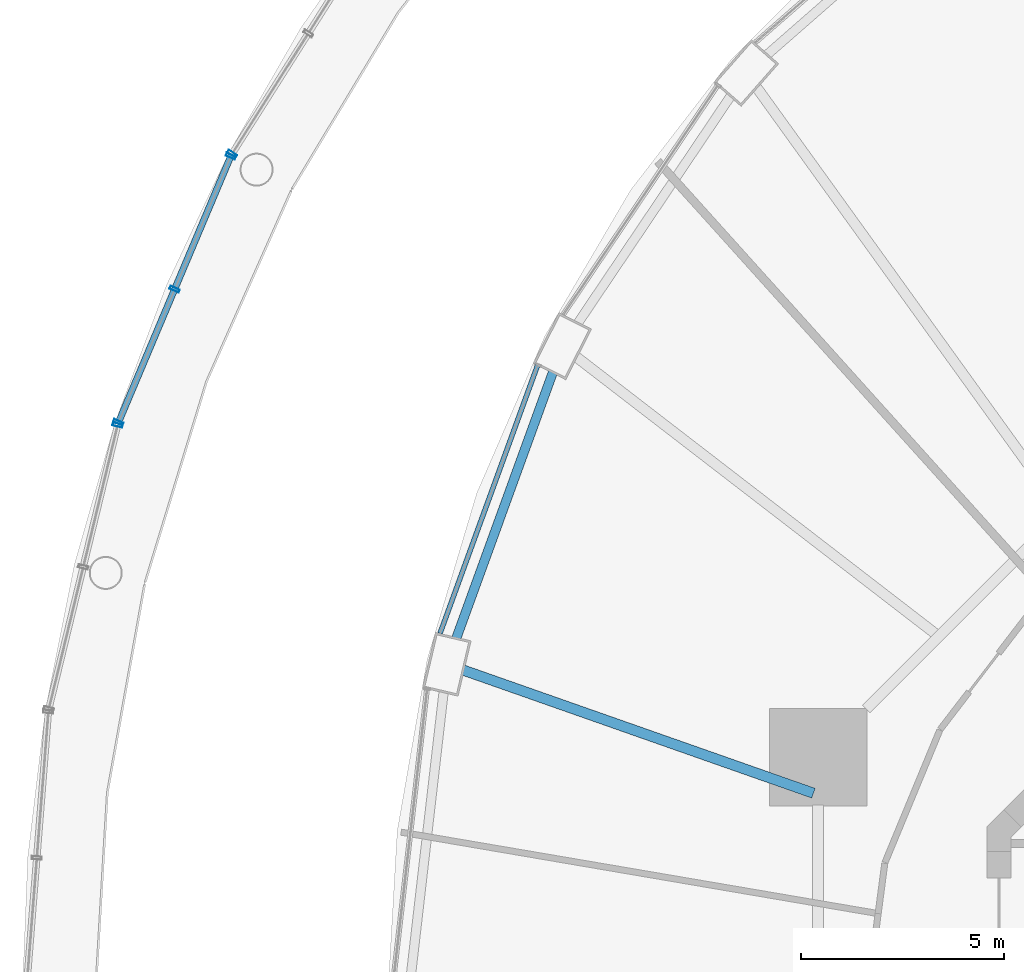
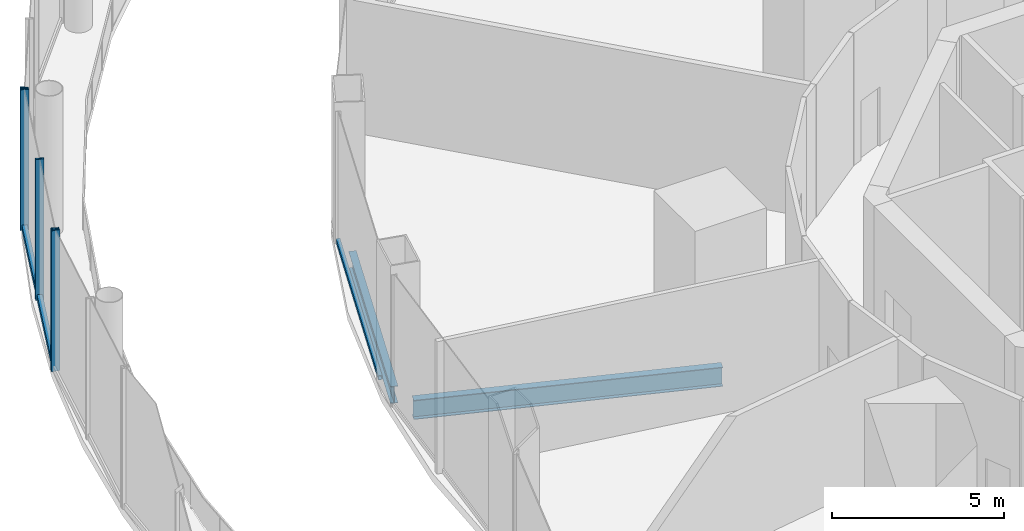
# One storey, part 20 of 48: 7 members, 2 beams, 4 elements without a shape of their own.
"""IFC4 building model written with IfcOpenShell, lengths in metres."""

from ifc_helpers import new_model, si_unit, direction, frame, origin, origin_2d, place, context, subcontext, project, spatial, hollow_rectangle, i_section, extrude, material, layer, layer_set, material_profile, profile_set, type_object, element, aggregate, save


model = new_model("IFC4")

# Units and contexts
model_context = context("Model", 3, precision=1e-05, world=origin(), true_north=direction((0.0, 1.0)))
body_context = subcontext(model_context, "Body", "Model", "MODEL_VIEW")
ifc_project = project(units=[si_unit("LENGTHUNIT", "METRE"), si_unit("AREAUNIT", "SQUARE_METRE"), si_unit("VOLUMEUNIT", "CUBIC_METRE"), si_unit("PLANEANGLEUNIT", "RADIAN"), si_unit("MASSUNIT", "GRAM", prefix="KILO")], contexts=[model_context])

# Site, building, storey
site_placement = place(None, origin())
site = spatial("IfcSite", under=ifc_project, at=site_placement, CompositionType="ELEMENT")
building_placement = place(site_placement, origin())
building = spatial("IfcBuilding", under=site, at=building_placement, Name="Nagisa Residences", CompositionType="ELEMENT")
storey_placement = place(building_placement, frame((0.0, 0.0, 12.0)))
storey = spatial("IfcBuildingStorey", under=building, at=storey_placement, Name="L02", CompositionType="ELEMENT", Elevation=12.0)

# Curtain wall, member
ifc_material_1 = material(Name="Stainless steel curtain wall system", Category="steel")
ifc_layer_1 = layer(ifc_material_1, 0.159912109375)
ifc_layer_set_1 = layer_set([ifc_layer_1], Name="CW3 CURTAIN WALL")
curtain_wall_type_1 = type_object("IfcCurtainWallType", Name="CW3 CURTAIN WALL", PredefinedType="NOTDEFINED", material=ifc_layer_set_1)
curtain_wall_1_placement = place(storey_placement, origin())
curtain_wall_1 = element("IfcCurtainWall", 1, at=curtain_wall_1_placement, inside=storey, type_object=curtain_wall_type_1, Name="cw:CW3:L02:14", PredefinedType="NOTDEFINED")
ifc_material_2 = material(Name="Stainless steel", Category="steel")
ifc_material_profile_1 = material_profile(ifc_material_2, hollow_rectangle(XDim=0.25, YDim=0.080078125, WallThickness=0.008056640625, at=origin_2d()), Name="CW3 MULLION 250x80")
ifc_profile_set_1 = profile_set([ifc_material_profile_1], Name="Stainless steel")
member_type_1 = type_object("IfcMemberType", Name="CW3 MULLION 250x80", PredefinedType="MULLION", material=ifc_profile_set_1)
member_1_placement = place(storey_placement, frame((-29.219970703125, 20.990966796875, 0.0), z_axis=(0.0, 0.0, 1.0), x_axis=(0.844747368001, -0.535165286856, 0.0)))
member_1 = element("IfcMember", 2, at=member_1_placement, type_object=member_type_1, Name="CW3 mullion", PredefinedType="MULLION", context=body_context, shape_type="SweptSolid", body=[
    extrude(hollow_rectangle(XDim=0.25, YDim=0.080078125, WallThickness=0.008056640625, at=origin_2d()), origin(), (0.0, 0.0, 1.0), 5.0),
])
aggregate(curtain_wall_1, [member_1])

# Curtain wall, members
curtain_wall_2_placement = place(storey_placement, origin())
curtain_wall_2 = element("IfcCurtainWall", 3, at=curtain_wall_2_placement, inside=storey, type_object=curtain_wall_type_1, Name="cw:CW3:L02:15", PredefinedType="NOTDEFINED")
member_2_placement = place(storey_placement, frame((-29.250732421875, 20.93212890625, 0.0), z_axis=(0.0, 0.0, 1.0), x_axis=(0.921356767819, -0.388718029417, 0.0)))
member_2 = element("IfcMember", 4, at=member_2_placement, type_object=member_type_1, Name="CW3 mullion", PredefinedType="MULLION", context=body_context, shape_type="SweptSolid", body=[
    extrude(hollow_rectangle(XDim=0.25, YDim=0.080078125, WallThickness=0.008056640625, at=origin_2d()), origin(), (0.0, 0.0, 1.0), 5.0),
])
member_3_placement = place(storey_placement, frame((-30.635009765625, 17.6513671875, 0.0), z_axis=(0.0, 0.0, 1.0), x_axis=(0.921356767819, -0.388718029417, 0.0)))
member_3 = element("IfcMember", 5, at=member_3_placement, type_object=member_type_1, Name="CW3 mullion", PredefinedType="MULLION", context=body_context, shape_type="SweptSolid", body=[
    extrude(hollow_rectangle(XDim=0.25, YDim=0.080078125, WallThickness=0.008056640625, at=origin_2d()), origin(), (0.0, 0.0, 1.0), 5.0),
])
member_4_placement = place(storey_placement, frame((-32.01904296875, 14.37060546875, 0.0), z_axis=(0.0, 0.0, 1.0), x_axis=(0.921356767819, -0.388718029417, 0.0)))
member_4 = element("IfcMember", 6, at=member_4_placement, type_object=member_type_1, Name="CW3 mullion", PredefinedType="MULLION", context=body_context, shape_type="SweptSolid", body=[
    extrude(hollow_rectangle(XDim=0.25, YDim=0.080078125, WallThickness=0.008056640625, at=origin_2d()), origin(), (0.0, 0.0, 1.0), 5.0),
])

# Curtain wall, member
curtain_wall_3_placement = place(storey_placement, origin())
curtain_wall_3 = element("IfcCurtainWall", 7, at=curtain_wall_3_placement, inside=storey, type_object=curtain_wall_type_1, Name="cw:CW3:L02:16", PredefinedType="NOTDEFINED")
member_5_placement = place(storey_placement, frame((-32.0400390625, 14.30712890625, 0.0), z_axis=(0.0, 0.0, 1.0), x_axis=(0.971848775146, -0.235605514043, 0.0)))
member_5 = element("IfcMember", 8, at=member_5_placement, type_object=member_type_1, Name="CW3 mullion", PredefinedType="MULLION", context=body_context, shape_type="SweptSolid", body=[
    extrude(hollow_rectangle(XDim=0.25, YDim=0.080078125, WallThickness=0.008056640625, at=origin_2d()), origin(), (0.0, 0.0, 1.0), 5.0),
])
aggregate(curtain_wall_3, [member_5])

# Member
ifc_material_3 = material(Name="Stainless steel", Category="steel")
ifc_material_profile_2 = material_profile(ifc_material_3, hollow_rectangle(XDim=0.159912109375, YDim=0.199951171875, WallThickness=0.008056640625, at=origin_2d()), Name="CW3 TRANSOM 160x200")
ifc_profile_set_2 = profile_set([ifc_material_profile_2], Name="Stainless steel")
member_type_2 = type_object("IfcMemberType", Name="CW3 TRANSOM 160x200", PredefinedType="USERDEFINED", material=ifc_profile_set_2)
member_6_placement = place(storey_placement, frame((-29.2353515625, 20.968994140625, 0.10009765625), z_axis=(-0.388708599467, -0.921360746234, 0.0), x_axis=(0.921360746234, -0.388708599467, 0.0)))
member_6 = element("IfcMember", 9, at=member_6_placement, type_object=member_type_2, Name="CW3 transom", ObjectType="TRANSOM", PredefinedType="USERDEFINED", context=body_context, shape_type="SweptSolid", body=[
    extrude(hollow_rectangle(XDim=0.159912109375, YDim=0.199951171875, WallThickness=0.008056640625, at=origin_2d()), origin(), (0.0, 0.0, 1.0), 7.20166015625),
])

aggregate(curtain_wall_2, [member_2, member_3, member_4, member_6])

# Curtain wall, member
ifc_material_4 = material(Name="Stainless steel curtain wall system", Category="steel")
ifc_layer_2 = layer(ifc_material_4, 0.159912109375)
ifc_layer_set_2 = layer_set([ifc_layer_2], Name="CW6 CURTAIN WALL")
curtain_wall_type_2 = type_object("IfcCurtainWallType", Name="CW6 CURTAIN WALL", PredefinedType="NOTDEFINED", material=ifc_layer_set_2)
curtain_wall_4_placement = place(storey_placement, origin())
curtain_wall_4 = element("IfcCurtainWall", 10, at=curtain_wall_4_placement, inside=storey, type_object=curtain_wall_type_2, Name="cw:CW6:L02:20", PredefinedType="NOTDEFINED")
ifc_material_5 = material(Name="Stainless steel", Category="steel")
ifc_material_profile_3 = material_profile(ifc_material_5, hollow_rectangle(XDim=0.1201171875, YDim=0.14990234375, WallThickness=0.008056640625, at=origin_2d()), Name="CW6 TRANSOM 120x150")
ifc_profile_set_3 = profile_set([ifc_material_profile_3], Name="Stainless steel")
member_type_3 = type_object("IfcMemberType", Name="CW6 TRANSOM 120x150", PredefinedType="USERDEFINED", material=ifc_profile_set_3)
member_7_placement = place(storey_placement, frame((-21.678955078125, 15.81494140625, 0.074951171875), z_axis=(-0.342039719013, -0.939685495587, 0.0), x_axis=(0.939685495587, -0.342039719013, 0.0)))
member_7 = element("IfcMember", 11, at=member_7_placement, type_object=member_type_3, Name="CW6 transom", ObjectType="TRANSOM", PredefinedType="USERDEFINED", context=body_context, shape_type="SweptSolid", body=[
    extrude(hollow_rectangle(XDim=0.1201171875, YDim=0.14990234375, WallThickness=0.008056640625, at=origin_2d()), origin(), (0.0, 0.0, 1.0), 7.070068359375),
])
aggregate(curtain_wall_4, [member_7])

# Beams
ifc_material_6 = material(Name="Steel ASTM A572 Gr 50", Category="steel")
ifc_material_profile_4 = material_profile(ifc_material_6, i_section(OverallWidth=0.22802734375, OverallDepth=0.60302734375, WebThickness=0.010498046875, FlangeThickness=0.014892578125, at=origin_2d()), Name="W610x101")
ifc_profile_set_4 = profile_set([ifc_material_profile_4], Name="Steel ASTM A572 Gr 50")
beam_type_1 = type_object("IfcBeamType", Name="Perimeter ring beam W610x101", PredefinedType="BEAM", material=ifc_profile_set_4)
beam_1_placement = place(storey_placement, frame((-21.315673828125, 15.60595703125, -0.6015625), z_axis=(-0.341411143183, -0.939914055279, 0.0), x_axis=(0.939914055279, -0.341411143183, 0.0)))
element("IfcBeam", 12, at=beam_1_placement, inside=storey, type_object=beam_type_1, Name="beam:L02:pb11", PredefinedType="BEAM", context=body_context, shape_type="SweptSolid", body=[
    extrude(i_section(OverallWidth=0.22802734375, OverallDepth=0.60302734375, WebThickness=0.010498046875, FlangeThickness=0.014892578125, at=origin_2d()), origin(), (0.0, 0.0, 1.0), 6.96923828125),
])
ifc_material_7 = material(Name="Steel ASTM A572 Gr 50", Category="steel")
ifc_material_profile_5 = material_profile(ifc_material_7, i_section(OverallWidth=0.25390625, OverallDepth=0.68408203125, WebThickness=0.012451171875, FlangeThickness=0.018798828125, at=origin_2d()), Name="W690x140")
ifc_profile_set_5 = profile_set([ifc_material_profile_5], Name="Steel ASTM A572 Gr 50")
beam_type_2 = type_object("IfcBeamType", Name="Radial beam W690x140", PredefinedType="BEAM", material=ifc_profile_set_5)
beam_2_placement = place(storey_placement, frame((-23.520751953125, 8.26806640625, -0.64208984375), z_axis=(0.943414535235, -0.331615763659, 0.0), x_axis=(0.331615763659, 0.943414535235, 0.0)))
element("IfcBeam", 13, at=beam_2_placement, inside=storey, type_object=beam_type_2, Name="beam:L02:rb12", PredefinedType="BEAM", context=body_context, shape_type="SweptSolid", body=[
    extrude(i_section(OverallWidth=0.25390625, OverallDepth=0.68408203125, WebThickness=0.012451171875, FlangeThickness=0.018798828125, at=origin_2d()), origin(), (0.0, 0.0, 1.0), 9.142333984375),
])

save(model, "model.ifc")
